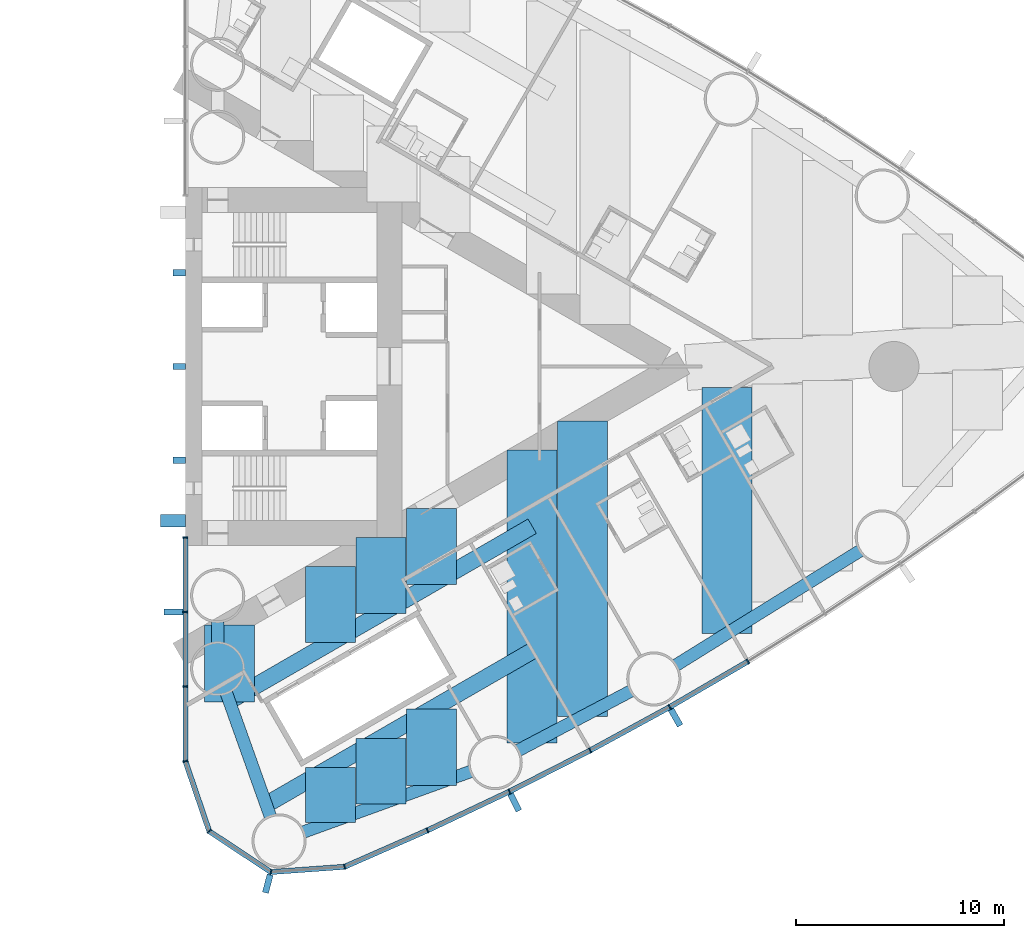
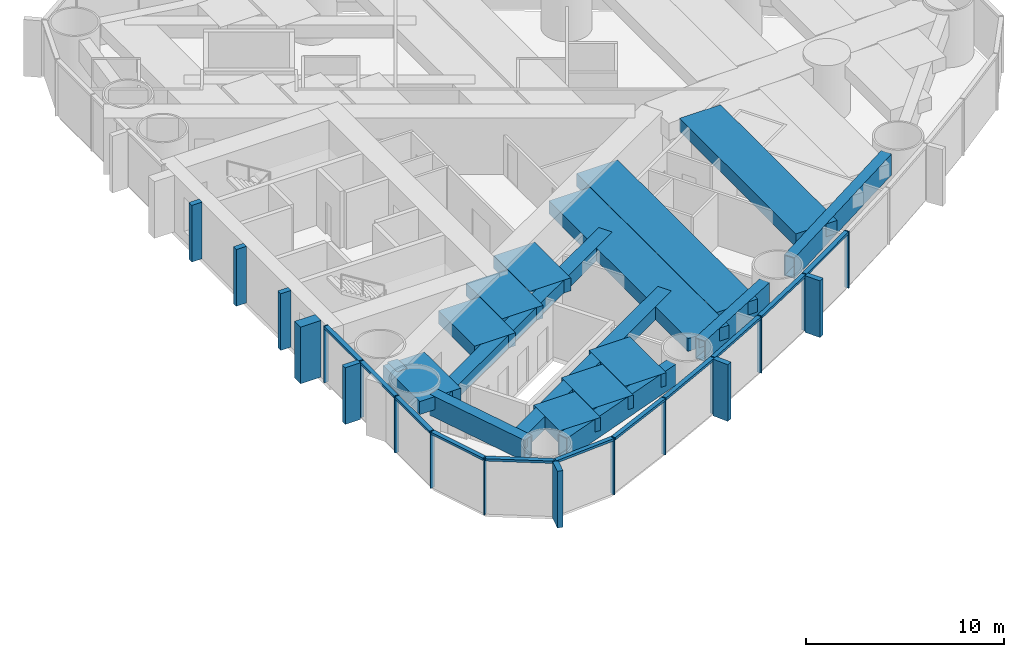
# One storey, part 6 of 19: 31 members, 17 beams, 1 element without a shape of its own.
"""IFC4 building model written with IfcOpenShell, lengths in metres."""

from ifc_helpers import new_model, si_unit, direction, frame, origin, origin_2d, place, context, subcontext, project, spatial, rectangle, hollow_rectangle, extrude, material, material_profile, profile_set, type_object, element, aggregate, save


model = new_model("IFC4")

# Units and contexts
model_context = context("Model", 3, precision=1e-05, world=origin(), true_north=direction((0.0, 1.0)))
body_context = subcontext(model_context, "Body", "Model", "MODEL_VIEW")
ifc_project = project(units=[si_unit("LENGTHUNIT", "METRE"), si_unit("AREAUNIT", "SQUARE_METRE"), si_unit("VOLUMEUNIT", "CUBIC_METRE"), si_unit("PLANEANGLEUNIT", "RADIAN"), si_unit("MASSUNIT", "GRAM", prefix="KILO")], contexts=[model_context])

# Site, building, storey
site_placement = place(None, origin())
site = spatial("IfcSite", under=ifc_project, at=site_placement, CompositionType="ELEMENT")
building_placement = place(site_placement, origin())
building = spatial("IfcBuilding", under=site, at=building_placement, Name="Lancet Gate Hotel", CompositionType="ELEMENT")
storey_placement = place(building_placement, frame((0.0, 0.0, 90.60009765625)))
storey = spatial("IfcBuildingStorey", under=building, at=storey_placement, Name="L23", CompositionType="ELEMENT", Elevation=90.60009765625)

# Curtain wall, members
ifc_material_1 = material(Name="Aluminium curtain wall", Category="aluminium")
curtain_wall_type = type_object("IfcCurtainWallType", Name="Tower unitised curtain wall", PredefinedType="USERDEFINED", material=ifc_material_1)
curtain_wall_placement = place(storey_placement, origin())
curtain_wall = element("IfcCurtainWall", 1, at=curtain_wall_placement, inside=storey, type_object=curtain_wall_type, Name="T2 L23 curtain wall 1", ObjectType="UNITISED CURTAIN WALL", PredefinedType="USERDEFINED")
ifc_material_2 = material(Name="Aluminium mullion", Category="aluminium")
ifc_material_profile_1 = material_profile(ifc_material_2, rectangle(XDim=0.06494140625, YDim=0.25, at=origin_2d()), Name="MULLION 65x250")
ifc_profile_set_1 = profile_set([ifc_material_profile_1], Name="Aluminium mullion")
member_type_1 = type_object("IfcMemberType", Name="Aluminium mullion 65x250", PredefinedType="MULLION", material=ifc_profile_set_1)
member_1_placement = place(storey_placement, frame((27.5, -8.199951171875, 0.0), z_axis=(0.0, 0.0, 1.0), x_axis=(0.0, -1.0, 0.0)))
member_1 = element("IfcMember", 2, at=member_1_placement, type_object=member_type_1, Name="T2 L23 curtain wall 1 mullion 1", PredefinedType="MULLION", context=body_context, shape_type="SweptSolid", body=[
    extrude(rectangle(XDim=0.06494140625, YDim=0.25, at=origin_2d()), origin(), (0.0, 0.0, 1.0), 3.5),
])
member_2_placement = place(storey_placement, frame((27.5, -11.781005859375, 0.0), z_axis=(0.0, 0.0, 1.0), x_axis=(0.0, -1.0, 0.0)))
member_2 = element("IfcMember", 3, at=member_2_placement, type_object=member_type_1, Name="T2 L23 curtain wall 1 mullion 2", PredefinedType="MULLION", context=body_context, shape_type="SweptSolid", body=[
    extrude(rectangle(XDim=0.06494140625, YDim=0.25, at=origin_2d()), origin(), (0.0, 0.0, 1.0), 3.5),
])
member_3_placement = place(storey_placement, frame((27.5, -15.362060546875, 0.0), z_axis=(0.0, 0.0, 1.0), x_axis=(0.0, -1.0, 0.0)))
member_3 = element("IfcMember", 4, at=member_3_placement, type_object=member_type_1, Name="T2 L23 curtain wall 1 mullion 3", PredefinedType="MULLION", context=body_context, shape_type="SweptSolid", body=[
    extrude(rectangle(XDim=0.06494140625, YDim=0.25, at=origin_2d()), origin(), (0.0, 0.0, 1.0), 3.5),
])
member_4_placement = place(storey_placement, frame((27.5, -18.94287109375, 0.0), z_axis=(0.0, 0.0, 1.0), x_axis=(0.162738742557, -0.986669195663, 0.0)))
member_4 = element("IfcMember", 5, at=member_4_placement, type_object=member_type_1, Name="T2 L23 curtain wall 1 mullion 4", PredefinedType="MULLION", context=body_context, shape_type="SweptSolid", body=[
    extrude(rectangle(XDim=0.06494140625, YDim=0.25, at=origin_2d()), origin(), (0.0, 0.0, 1.0), 3.5),
])
member_5_placement = place(storey_placement, frame((28.64453125, -22.301513671875, 0.0), z_axis=(0.0, 0.0, 1.0), x_axis=(0.610663954798, -0.79188984986, 0.0)))
member_5 = element("IfcMember", 6, at=member_5_placement, type_object=member_type_1, Name="T2 L23 curtain wall 1 mullion 5", PredefinedType="MULLION", context=body_context, shape_type="SweptSolid", body=[
    extrude(rectangle(XDim=0.06494140625, YDim=0.25, at=origin_2d()), origin(), (0.0, 0.0, 1.0), 3.5),
])
member_6_placement = place(storey_placement, frame((31.60205078125, -24.26220703125, 0.0), z_axis=(0.0, 0.0, 1.0), x_axis=(0.967157174963, -0.254179068604, 0.0)))
member_6 = element("IfcMember", 7, at=member_6_placement, type_object=member_type_1, Name="T2 L23 curtain wall 1 mullion 6", PredefinedType="MULLION", context=body_context, shape_type="SweptSolid", body=[
    extrude(rectangle(XDim=0.06494140625, YDim=0.25, at=origin_2d()), origin(), (0.0, 0.0, 1.0), 3.5),
])
member_7_placement = place(storey_placement, frame((35.141357421875, -24.009033203125, 0.0), z_axis=(0.0, 0.0, 1.0), x_axis=(0.966317378791, 0.257353304711, 0.0)))
member_7 = element("IfcMember", 8, at=member_7_placement, type_object=member_type_1, Name="T2 L23 curtain wall 1 mullion 7", PredefinedType="MULLION", context=body_context, shape_type="SweptSolid", body=[
    extrude(rectangle(XDim=0.06494140625, YDim=0.25, at=origin_2d()), origin(), (0.0, 0.0, 1.0), 3.5),
])
member_8_placement = place(storey_placement, frame((39.12109375, -22.259765625, 0.0), z_axis=(0.0, 0.0, 1.0), x_axis=(0.909672766767, 0.415325724465, 0.0)))
member_8 = element("IfcMember", 9, at=member_8_placement, type_object=member_type_1, Name="T2 L23 curtain wall 1 mullion 8", PredefinedType="MULLION", context=body_context, shape_type="SweptSolid", body=[
    extrude(rectangle(XDim=0.06494140625, YDim=0.25, at=origin_2d()), origin(), (0.0, 0.0, 1.0), 3.5),
])
member_9_placement = place(storey_placement, frame((43.0498046875, -20.398193359375, 0.0), z_axis=(0.0, 0.0, 1.0), x_axis=(0.897511886496, 0.440990264743, 0.0)))
member_9 = element("IfcMember", 10, at=member_9_placement, type_object=member_type_1, Name="T2 L23 curtain wall 1 mullion 9", PredefinedType="MULLION", context=body_context, shape_type="SweptSolid", body=[
    extrude(rectangle(XDim=0.06494140625, YDim=0.25, at=origin_2d()), origin(), (0.0, 0.0, 1.0), 3.5),
])
member_10_placement = place(storey_placement, frame((46.923828125, -18.426025390625, 0.0), z_axis=(0.0, 0.0, 1.0), x_axis=(0.884627112962, 0.466299121822, 0.0)))
member_10 = element("IfcMember", 11, at=member_10_placement, type_object=member_type_1, Name="T2 L23 curtain wall 1 mullion 10", PredefinedType="MULLION", context=body_context, shape_type="SweptSolid", body=[
    extrude(rectangle(XDim=0.06494140625, YDim=0.25, at=origin_2d()), origin(), (0.0, 0.0, 1.0), 3.5),
])
member_11_placement = place(storey_placement, frame((50.740478515625, -16.344482421875, 0.0), z_axis=(0.0, 0.0, 1.0), x_axis=(0.871028838445, 0.491231882716, 0.0)))
member_11 = element("IfcMember", 12, at=member_11_placement, type_object=member_type_1, Name="T2 L23 curtain wall 1 mullion 11", PredefinedType="MULLION", context=body_context, shape_type="SweptSolid", body=[
    extrude(rectangle(XDim=0.06494140625, YDim=0.25, at=origin_2d()), origin(), (0.0, 0.0, 1.0), 3.5),
])
member_12_placement = place(storey_placement, frame((54.496337890625, -14.1552734375, 0.0), z_axis=(0.0, 0.0, 1.0), x_axis=(0.856728030701, 0.515768437781, 0.0)))
member_12 = element("IfcMember", 13, at=member_12_placement, type_object=member_type_1, Name="T2 L23 curtain wall 1 mullion 12", PredefinedType="MULLION", context=body_context, shape_type="SweptSolid", body=[
    extrude(rectangle(XDim=0.06494140625, YDim=0.25, at=origin_2d()), origin(), (0.0, 0.0, 1.0), 3.5),
])
ifc_material_3 = material(Name="Aluminium transom", Category="aluminium")
ifc_material_profile_2 = material_profile(ifc_material_3, rectangle(XDim=0.25, YDim=0.14990234375, at=origin_2d()), Name="TRANSOM 250x150")
ifc_profile_set_2 = profile_set([ifc_material_profile_2], Name="Aluminium transom")
member_type_2 = type_object("IfcMemberType", Name="Aluminium transom 250x150", PredefinedType="USERDEFINED", material=ifc_profile_set_2)
member_13_placement = place(storey_placement, frame((27.5, -8.232421875, 3.4248046875), z_axis=(0.0, -1.0, 0.0), x_axis=(1.0, 0.0, 0.0)))
member_13 = element("IfcMember", 14, at=member_13_placement, type_object=member_type_2, Name="T2 L23 curtain wall 1 transom 1", ObjectType="TRANSOM", PredefinedType="USERDEFINED", context=body_context, shape_type="SweptSolid", body=[
    extrude(rectangle(XDim=0.25, YDim=0.14990234375, at=origin_2d()), origin(), (0.0, 0.0, 1.0), 3.51611328125),
])
member_14_placement = place(storey_placement, frame((27.5, -11.8134765625, 3.4248046875), z_axis=(0.0, -1.0, 0.0), x_axis=(1.0, 0.0, 0.0)))
member_14 = element("IfcMember", 15, at=member_14_placement, type_object=member_type_2, Name="T2 L23 curtain wall 1 transom 2", ObjectType="TRANSOM", PredefinedType="USERDEFINED", context=body_context, shape_type="SweptSolid", body=[
    extrude(rectangle(XDim=0.25, YDim=0.14990234375, at=origin_2d()), origin(), (0.0, 0.0, 1.0), 3.515869140625),
])
member_15_placement = place(storey_placement, frame((27.5, -15.39453125, 3.4248046875), z_axis=(0.0, -1.0, 0.0), x_axis=(1.0, 0.0, 0.0)))
member_15 = element("IfcMember", 16, at=member_15_placement, type_object=member_type_2, Name="T2 L23 curtain wall 1 transom 3", ObjectType="TRANSOM", PredefinedType="USERDEFINED", context=body_context, shape_type="SweptSolid", body=[
    extrude(rectangle(XDim=0.25, YDim=0.14990234375, at=origin_2d()), origin(), (0.0, 0.0, 1.0), 3.515869140625),
])
member_16_placement = place(storey_placement, frame((27.510498046875, -18.9736328125, 3.4248046875), z_axis=(0.322549769135, -0.946552505903, 0.0), x_axis=(0.946552505903, 0.322549769135, 0.0)))
member_16 = element("IfcMember", 17, at=member_16_placement, type_object=member_type_2, Name="T2 L23 curtain wall 1 transom 4", ObjectType="TRANSOM", PredefinedType="USERDEFINED", context=body_context, shape_type="SweptSolid", body=[
    extrude(rectangle(XDim=0.25, YDim=0.14990234375, at=origin_2d()), origin(), (0.0, 0.0, 1.0), 3.4833984375),
])
member_17_placement = place(storey_placement, frame((28.671630859375, -22.319580078125, 3.4248046875), z_axis=(0.833470854141, -0.552563421968, 0.0), x_axis=(0.552563421968, 0.833470854141, 0.0)))
member_17 = element("IfcMember", 18, at=member_17_placement, type_object=member_type_2, Name="T2 L23 curtain wall 1 transom 5", ObjectType="TRANSOM", PredefinedType="USERDEFINED", context=body_context, shape_type="SweptSolid", body=[
    extrude(rectangle(XDim=0.25, YDim=0.14990234375, at=origin_2d()), origin(), (0.0, 0.0, 1.0), 3.4833984375),
])
member_18_placement = place(storey_placement, frame((31.634521484375, -24.260009765625, 3.4248046875), z_axis=(0.997446232115, 0.071421383636, 0.0), x_axis=(-0.071421383636, 0.997446232115, 0.0)))
member_18 = element("IfcMember", 19, at=member_18_placement, type_object=member_type_2, Name="T2 L23 curtain wall 1 transom 6", ObjectType="TRANSOM", PredefinedType="USERDEFINED", context=body_context, shape_type="SweptSolid", body=[
    extrude(rectangle(XDim=0.25, YDim=0.14990234375, at=origin_2d()), origin(), (0.0, 0.0, 1.0), 3.483154296875),
])
member_19_placement = place(storey_placement, frame((35.171142578125, -23.995849609375, 3.4248046875), z_axis=(0.915484772266, 0.402352621155, 0.0), x_axis=(-0.402352621155, 0.915484772266, 0.0)))
member_19 = element("IfcMember", 20, at=member_19_placement, type_object=member_type_2, Name="T2 L23 curtain wall 1 transom 7", ObjectType="TRANSOM", PredefinedType="USERDEFINED", context=body_context, shape_type="SweptSolid", body=[
    extrude(rectangle(XDim=0.25, YDim=0.14990234375, at=origin_2d()), origin(), (0.0, 0.0, 1.0), 4.281982421875),
])
member_20_placement = place(storey_placement, frame((39.150634765625, -22.245849609375, 3.4248046875), z_axis=(0.903679787814, 0.428208875546, 0.0), x_axis=(-0.428208875546, 0.903679787814, 0.0)))
member_20 = element("IfcMember", 21, at=member_20_placement, type_object=member_type_2, Name="T2 L23 curtain wall 1 transom 8", ObjectType="TRANSOM", PredefinedType="USERDEFINED", context=body_context, shape_type="SweptSolid", body=[
    extrude(rectangle(XDim=0.25, YDim=0.14990234375, at=origin_2d()), origin(), (0.0, 0.0, 1.0), 4.282470703125),
])
member_21_placement = place(storey_placement, frame((43.07861328125, -20.383544921875, 3.4248046875), z_axis=(0.891165630033, 0.453678101574, 0.0), x_axis=(-0.453678101574, 0.891165630033, 0.0)))
member_21 = element("IfcMember", 22, at=member_21_placement, type_object=member_type_2, Name="T2 L23 curtain wall 1 transom 9", ObjectType="TRANSOM", PredefinedType="USERDEFINED", context=body_context, shape_type="SweptSolid", body=[
    extrude(rectangle(XDim=0.25, YDim=0.14990234375, at=origin_2d()), origin(), (0.0, 0.0, 1.0), 4.282470703125),
])
member_22_placement = place(storey_placement, frame((46.952392578125, -18.410400390625, 3.4248046875), z_axis=(0.877906466435, 0.478832158685, 0.0), x_axis=(-0.478832158685, 0.877906466435, 0.0)))
member_22 = element("IfcMember", 23, at=member_22_placement, type_object=member_type_2, Name="T2 L23 curtain wall 1 transom 10", ObjectType="TRANSOM", PredefinedType="USERDEFINED", context=body_context, shape_type="SweptSolid", body=[
    extrude(rectangle(XDim=0.25, YDim=0.14990234375, at=origin_2d()), origin(), (0.0, 0.0, 1.0), 4.282470703125),
])
member_23_placement = place(storey_placement, frame((50.7685546875, -16.327880859375, 3.4248046875), z_axis=(0.863973212152, 0.503537772847, 0.0), x_axis=(-0.503537772847, 0.863973212152, 0.0)))
member_23 = element("IfcMember", 24, at=member_23_placement, type_object=member_type_2, Name="T2 L23 curtain wall 1 transom 11", ObjectType="TRANSOM", PredefinedType="USERDEFINED", context=body_context, shape_type="SweptSolid", body=[
    extrude(rectangle(XDim=0.25, YDim=0.14990234375, at=origin_2d()), origin(), (0.0, 0.0, 1.0), 4.2822265625),
])

# Beams
ifc_material_4 = material(Name="Steel S460QL", Category="steel")
ifc_material_profile_3 = material_profile(ifc_material_4, hollow_rectangle(XDim=0.60009765625, YDim=1.300048828125, WallThickness=0.050048828125, at=origin_2d()), Name="BOX 1300x600x50")
ifc_profile_set_3 = profile_set([ifc_material_profile_3], Name="Steel S460QL")
beam_type_1 = type_object("IfcBeamType", Name="Edge beam BOX 1300x600x50", PredefinedType="SPANDREL", material=ifc_profile_set_3)
beam_1_placement = place(storey_placement, frame((33.17138671875, -22.337646484375, 2.599853515625), z_axis=(0.94022224136, 0.340561502305, 0.0), x_axis=(-0.340561502305, 0.94022224136, 0.0)))
element("IfcBeam", 25, at=beam_1_placement, inside=storey, type_object=beam_type_1, Name="T2 edge beam EB2 L23", PredefinedType="SPANDREL", context=body_context, shape_type="SweptSolid", body=[
    extrude(hollow_rectangle(XDim=0.60009765625, YDim=1.300048828125, WallThickness=0.050048828125, at=origin_2d()), origin(), (0.0, 0.0, 1.0), 8.529296875),
])
beam_2_placement = place(storey_placement, frame((43.471923828125, -18.42431640625, 2.599853515625), z_axis=(0.884624882646, 0.466303352984, 0.0), x_axis=(-0.466303352984, 0.884624882646, 0.0)))
element("IfcBeam", 26, at=beam_2_placement, inside=storey, type_object=beam_type_1, Name="T2 edge beam EB2 L23", PredefinedType="SPANDREL", context=body_context, shape_type="SweptSolid", body=[
    extrude(hollow_rectangle(XDim=0.60009765625, YDim=1.300048828125, WallThickness=0.050048828125, at=origin_2d()), origin(), (0.0, 0.0, 1.0), 6.105712890625),
])
beam_3_placement = place(storey_placement, frame((51.040771484375, -14.33447265625, 2.599853515625), z_axis=(0.849316311932, 0.527884269785, 0.0), x_axis=(-0.527884269785, 0.849316311932, 0.0)))
element("IfcBeam", 27, at=beam_3_placement, inside=storey, type_object=beam_type_1, Name="T2 edge beam EB2 L23", PredefinedType="SPANDREL", context=body_context, shape_type="SweptSolid", body=[
    extrude(hollow_rectangle(XDim=0.60009765625, YDim=1.300048828125, WallThickness=0.050048828125, at=origin_2d()), origin(), (0.0, 0.0, 1.0), 10.406494140625),
])
beam_4_placement = place(storey_placement, frame((31.576171875, -21.585693359375, 2.599853515625), z_axis=(-0.335823485709, 0.941924936737, 0.0), x_axis=(-0.941924936737, -0.335823485709, 0.0)))
element("IfcBeam", 28, at=beam_4_placement, inside=storey, type_object=beam_type_1, Name="T2 edge beam EB2 L23", PredefinedType="SPANDREL", context=body_context, shape_type="SweptSolid", body=[
    extrude(hollow_rectangle(XDim=0.60009765625, YDim=1.300048828125, WallThickness=0.050048828125, at=origin_2d()), origin(), (0.0, 0.0, 1.0), 6.2724609375),
])

# Member
ifc_material_5 = material(Name="Concrete C60/75", Category="concrete")
ifc_material_profile_4 = material_profile(ifc_material_5, rectangle(XDim=0.60009765625, YDim=1.199951171875, at=origin_2d()), Name="FIN 600x1200")
ifc_profile_set_4 = profile_set([ifc_material_profile_4], Name="Concrete C60/75")
member_type_3 = type_object("IfcMemberType", Name="Exposed concrete buttress pilaster 600x1200", PredefinedType="USERDEFINED", material=ifc_profile_set_4)
member_24_placement = place(storey_placement, frame((26.909912109375, -7.39990234375, 0.0), z_axis=(0.0, 0.0, 1.0), x_axis=(0.0, 1.0, 0.0)))
element("IfcMember", 29, at=member_24_placement, inside=storey, type_object=member_type_3, Name="T2 buttress pilaster S L23", ObjectType="FIN", PredefinedType="USERDEFINED", context=body_context, shape_type="SweptSolid", body=[
    extrude(rectangle(XDim=0.60009765625, YDim=1.199951171875, at=origin_2d()), origin(), (0.0, 0.0, 1.0), 3.5),
])

ifc_material_6 = material(Name="Precast concrete C50/60", Category="concrete")
ifc_material_profile_5 = material_profile(ifc_material_6, rectangle(XDim=0.300048828125, YDim=0.89990234375, at=origin_2d()), Name="FIN 300x900")
ifc_profile_set_5 = profile_set([ifc_material_profile_5], Name="Precast concrete C50/60")
member_type_4 = type_object("IfcMemberType", Name="Exposed concrete fin 300x900", PredefinedType="USERDEFINED", material=ifc_profile_set_5)
member_25_placement = place(storey_placement, frame((26.925048828125, -11.781005859375, 0.0), z_axis=(0.0, 0.0, 1.0), x_axis=(0.0, -1.0, 0.0)))
member_25 = element("IfcMember", 30, at=member_25_placement, type_object=member_type_4, Name="T2 L23 curtain wall 1 fin 2", ObjectType="FIN", PredefinedType="USERDEFINED", context=body_context, shape_type="SweptSolid", body=[
    extrude(rectangle(XDim=0.300048828125, YDim=0.89990234375, at=origin_2d()), origin(), (0.0, 0.0, 1.0), 3.5),
])

member_26_placement = place(storey_placement, frame((31.455810546875, -24.818359375, 0.0), z_axis=(0.0, 0.0, 1.0), x_axis=(0.967157174963, -0.254179068604, 0.0)))
member_26 = element("IfcMember", 31, at=member_26_placement, type_object=member_type_4, Name="T2 L23 curtain wall 1 fin 6", ObjectType="FIN", PredefinedType="USERDEFINED", context=body_context, shape_type="SweptSolid", body=[
    extrude(rectangle(XDim=0.300048828125, YDim=0.89990234375, at=origin_2d()), origin(), (0.0, 0.0, 1.0), 3.5),
])

member_27_placement = place(storey_placement, frame((43.30322265625, -20.914306640625, 0.0), z_axis=(0.0, 0.0, 1.0), x_axis=(0.897511886496, 0.440990264743, 0.0)))
member_27 = element("IfcMember", 32, at=member_27_placement, type_object=member_type_4, Name="T2 L23 curtain wall 1 fin 9", ObjectType="FIN", PredefinedType="USERDEFINED", context=body_context, shape_type="SweptSolid", body=[
    extrude(rectangle(XDim=0.300048828125, YDim=0.89990234375, at=origin_2d()), origin(), (0.0, 0.0, 1.0), 3.5),
])

member_28_placement = place(storey_placement, frame((51.02294921875, -16.84521484375, 0.0), z_axis=(0.0, 0.0, 1.0), x_axis=(0.871028838445, 0.491231882716, 0.0)))
member_28 = element("IfcMember", 33, at=member_28_placement, type_object=member_type_4, Name="T2 L23 curtain wall 1 fin 11", ObjectType="FIN", PredefinedType="USERDEFINED", context=body_context, shape_type="SweptSolid", body=[
    extrude(rectangle(XDim=0.300048828125, YDim=0.89990234375, at=origin_2d()), origin(), (0.0, 0.0, 1.0), 3.5),
])

aggregate(curtain_wall, [member_1, member_2, member_25, member_3, member_4, member_5, member_6, member_26, member_7, member_8, member_9, member_27, member_10, member_11, member_28, member_12, member_13, member_14, member_15, member_16, member_17, member_18, member_19, member_20, member_21, member_22, member_23])

# Members
ifc_material_7 = material(Name="Concrete C60/75", Category="concrete")
ifc_material_profile_6 = material_profile(ifc_material_7, rectangle(XDim=0.300048828125, YDim=0.60009765625, at=origin_2d()), Name="FIN 300x600")
ifc_profile_set_6 = profile_set([ifc_material_profile_6], Name="Concrete C60/75")
member_type_5 = type_object("IfcMemberType", Name="Exposed concrete rib 300x600", PredefinedType="USERDEFINED", material=ifc_profile_set_6)
for number, where, z_axis, x_axis, name in (
    (34, (27.2099609375, -4.5, 0.0), (0.0, 0.0, 1.0), (0.0, 1.0, 0.0), "T2 core rib 1 L23"),
    (35, (27.2099609375, 0.0, 0.0), (0.0, 0.0, 1.0), (0.0, 1.0, 0.0), "T2 core rib 2 L23"),
    (36, (27.2099609375, 4.5, 0.0), (0.0, 0.0, 1.0), (0.0, 1.0, 0.0), "T2 core rib 3 L23"),
):
    element("IfcMember", number, at=place(storey_placement, frame(where, z_axis=z_axis, x_axis=x_axis)), inside=storey, type_object=member_type_5, Name=name, ObjectType="FIN", PredefinedType="USERDEFINED", context=body_context, shape_type="SweptSolid", body=[
        extrude(rectangle(XDim=0.300048828125, YDim=0.60009765625, at=origin_2d()), origin(), (0.0, 0.0, 1.0), 3.5),
    ])

# Beams
ifc_material_8 = material(Name="Concrete C50/60", Category="concrete")
ifc_material_profile_7 = material_profile(ifc_material_8, rectangle(XDim=2.39990234375, YDim=0.800048828125, at=origin_2d()), Name="RC 2400x800")
ifc_profile_set_7 = profile_set([ifc_material_profile_7], Name="Concrete C50/60")
beam_type_2 = type_object("IfcBeamType", Name="Floor beam RC 2400x800", PredefinedType="BEAM", material=ifc_profile_set_7)
beam_5_placement = place(storey_placement, frame((29.6201171875, -16.099365234375, 2.849853515625), z_axis=(0.0, 1.0, 0.0), x_axis=(-1.0, 0.0, 0.0)))
element("IfcBeam", 37, at=beam_5_placement, inside=storey, type_object=beam_type_2, Name="T2 floor beam F01S L23", PredefinedType="BEAM", context=body_context, shape_type="SweptSolid", body=[
    extrude(rectangle(XDim=2.39990234375, YDim=0.800048828125, at=origin_2d()), origin(), (0.0, 0.0, 1.0), 3.69677734375),
])
beam_6_placement = place(storey_placement, frame((44.1416015625, -18.0712890625, 2.849853515625), z_axis=(0.0, 1.0, 0.0), x_axis=(-1.0, 0.0, 0.0)))
element("IfcBeam", 38, at=beam_6_placement, inside=storey, type_object=beam_type_2, Name="T2 floor beam F09S L23", PredefinedType="BEAM", context=body_context, shape_type="SweptSolid", body=[
    extrude(rectangle(XDim=2.39990234375, YDim=0.800048828125, at=origin_2d()), origin(), (0.0, 0.0, 1.0), 14.052490234375),
])
beam_7_placement = place(storey_placement, frame((46.561767578125, -16.795654296875, 2.849853515625), z_axis=(0.0, 1.0, 0.0), x_axis=(-1.0, 0.0, 0.0)))
element("IfcBeam", 39, at=beam_7_placement, inside=storey, type_object=beam_type_2, Name="T2 floor beam F11S L23", PredefinedType="BEAM", context=body_context, shape_type="SweptSolid", body=[
    extrude(rectangle(XDim=2.39990234375, YDim=0.800048828125, at=origin_2d()), origin(), (0.0, 0.0, 1.0), 14.17431640625),
])
beam_8_placement = place(storey_placement, frame((53.502197265625, -12.804443359375, 2.849853515625), z_axis=(0.0, 1.0, 0.0), x_axis=(-1.0, 0.0, 0.0)))
element("IfcBeam", 40, at=beam_8_placement, inside=storey, type_object=beam_type_2, Name="T2 floor beam F13S L23", PredefinedType="BEAM", context=body_context, shape_type="SweptSolid", body=[
    extrude(rectangle(XDim=2.39990234375, YDim=0.800048828125, at=origin_2d()), origin(), (0.0, 0.0, 1.0), 11.78564453125),
])
beam_9_placement = place(storey_placement, frame((34.460693359375, -21.87060546875, 2.849853515625), z_axis=(0.0, 1.0, 0.0), x_axis=(-1.0, 0.0, 0.0)))
element("IfcBeam", 41, at=beam_9_placement, inside=storey, type_object=beam_type_2, Name="T2 floor beam F03SA L23", PredefinedType="BEAM", context=body_context, shape_type="SweptSolid", body=[
    extrude(rectangle(XDim=2.39990234375, YDim=0.800048828125, at=origin_2d()), origin(), (0.0, 0.0, 1.0), 2.62939453125),
])
beam_10_placement = place(storey_placement, frame((34.460693359375, -13.253662109375, 2.849853515625), z_axis=(0.0, 1.0, 0.0), x_axis=(-1.0, 0.0, 0.0)))
element("IfcBeam", 42, at=beam_10_placement, inside=storey, type_object=beam_type_2, Name="T2 floor beam F03SB L23", PredefinedType="BEAM", context=body_context, shape_type="SweptSolid", body=[
    extrude(rectangle(XDim=2.39990234375, YDim=0.800048828125, at=origin_2d()), origin(), (0.0, 0.0, 1.0), 3.645751953125),
])
beam_11_placement = place(storey_placement, frame((36.880859375, -20.993896484375, 2.849853515625), z_axis=(0.0, 1.0, 0.0), x_axis=(-1.0, 0.0, 0.0)))
element("IfcBeam", 43, at=beam_11_placement, inside=storey, type_object=beam_type_2, Name="T2 floor beam F05SA L23", PredefinedType="BEAM", context=body_context, shape_type="SweptSolid", body=[
    extrude(rectangle(XDim=2.39990234375, YDim=0.800048828125, at=origin_2d()), origin(), (0.0, 0.0, 1.0), 3.150146484375),
])
beam_12_placement = place(storey_placement, frame((36.880859375, -11.8564453125, 2.849853515625), z_axis=(0.0, 1.0, 0.0), x_axis=(-1.0, 0.0, 0.0)))
element("IfcBeam", 44, at=beam_12_placement, inside=storey, type_object=beam_type_2, Name="T2 floor beam F05SB L23", PredefinedType="BEAM", context=body_context, shape_type="SweptSolid", body=[
    extrude(rectangle(XDim=2.39990234375, YDim=0.800048828125, at=origin_2d()), origin(), (0.0, 0.0, 1.0), 3.645751953125),
])
beam_13_placement = place(storey_placement, frame((39.301025390625, -20.1171875, 2.849853515625), z_axis=(0.0, 1.0, 0.0), x_axis=(-1.0, 0.0, 0.0)))
element("IfcBeam", 45, at=beam_13_placement, inside=storey, type_object=beam_type_2, Name="T2 floor beam F07SA L23", PredefinedType="BEAM", context=body_context, shape_type="SweptSolid", body=[
    extrude(rectangle(XDim=2.39990234375, YDim=0.800048828125, at=origin_2d()), origin(), (0.0, 0.0, 1.0), 3.670654296875),
])
beam_14_placement = place(storey_placement, frame((39.301025390625, -10.458984375, 2.849853515625), z_axis=(0.0, 1.0, 0.0), x_axis=(-1.0, 0.0, 0.0)))
element("IfcBeam", 46, at=beam_14_placement, inside=storey, type_object=beam_type_2, Name="T2 floor beam F07SB L23", PredefinedType="BEAM", context=body_context, shape_type="SweptSolid", body=[
    extrude(rectangle(XDim=2.39990234375, YDim=0.800048828125, at=origin_2d()), origin(), (0.0, 0.0, 1.0), 3.6455078125),
])
ifc_material_9 = material(Name="Steel S460QL", Category="steel")
ifc_material_profile_8 = material_profile(ifc_material_9, hollow_rectangle(XDim=0.60009765625, YDim=1.5, WallThickness=0.050048828125, at=origin_2d()), Name="BOX 1500x600x50")
ifc_profile_set_8 = profile_set([ifc_material_profile_8], Name="Steel S460QL")
beam_type_3 = type_object("IfcBeamType", Name="Inner-face link beam BOX 1500x600x50", PredefinedType="BEAM", material=ifc_profile_set_8)
beam_15_placement = place(storey_placement, frame((29.050048828125, -13.25, 2.5), z_axis=(0.0, 1.0, 0.0), x_axis=(-1.0, 0.0, 0.0)))
element("IfcBeam", 47, at=beam_15_placement, inside=storey, type_object=beam_type_3, Name="T2 inner-face link beam LK1 L23", PredefinedType="BEAM", context=body_context, shape_type="SweptSolid", body=[
    extrude(hollow_rectangle(XDim=0.60009765625, YDim=1.5, WallThickness=0.050048828125, at=origin_2d()), origin(), (0.0, 0.0, 1.0), 1.0),
])
ifc_material_10 = material(Name="Steel S460QL", Category="steel")
ifc_material_profile_9 = material_profile(ifc_material_10, hollow_rectangle(XDim=0.800048828125, YDim=0.800048828125, WallThickness=0.080078125, at=origin_2d()), Name="BOX 800x800x80")
ifc_profile_set_9 = profile_set([ifc_material_profile_9], Name="Steel S460QL")
beam_type_4 = type_object("IfcBeamType", Name="Trimmer beam BOX 800x800x80", PredefinedType="BEAM", material=ifc_profile_set_9)
beam_16_placement = place(storey_placement, frame((29.6201171875, -16.048095703125, 2.849853515625), z_axis=(0.866036714307, 0.499980409089, 0.0), x_axis=(-0.499980409089, 0.866036714307, 0.0)))
element("IfcBeam", 48, at=beam_16_placement, inside=storey, type_object=beam_type_4, Name="T2 trimmer beam TR01S L23", PredefinedType="BEAM", context=body_context, shape_type="SweptSolid", body=[
    extrude(hollow_rectangle(XDim=0.800048828125, YDim=0.800048828125, WallThickness=0.080078125, at=origin_2d()), origin(), (0.0, 0.0, 1.0), 16.767822265625),
])
beam_17_placement = place(storey_placement, frame((31.375244140625, -21.0224609375, 2.849853515625), z_axis=(0.86603417384, 0.49998480951, 0.0), x_axis=(-0.49998480951, 0.86603417384, 0.0)))
element("IfcBeam", 49, at=beam_17_placement, inside=storey, type_object=beam_type_4, Name="T2 trimmer beam TR02S L23", PredefinedType="BEAM", context=body_context, shape_type="SweptSolid", body=[
    extrude(hollow_rectangle(XDim=0.800048828125, YDim=0.800048828125, WallThickness=0.080078125, at=origin_2d()), origin(), (0.0, 0.0, 1.0), 14.7412109375),
])

save(model, "model.ifc")
